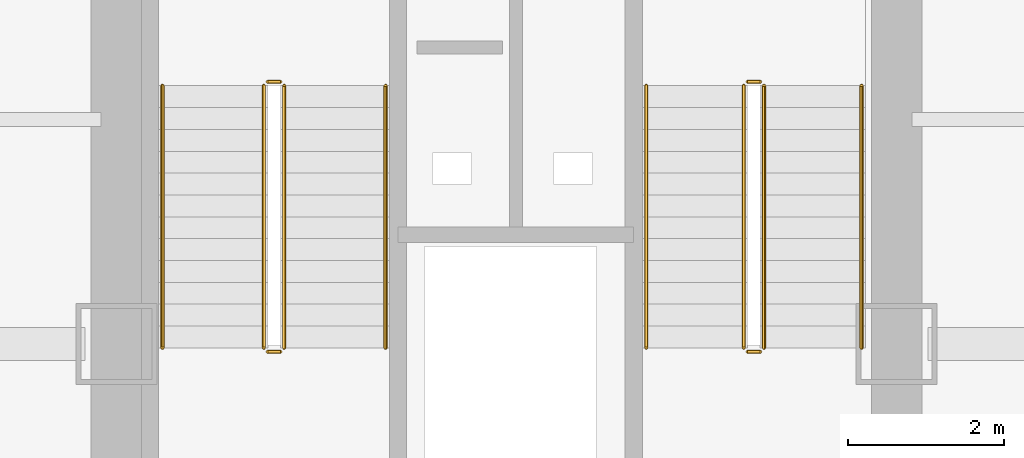
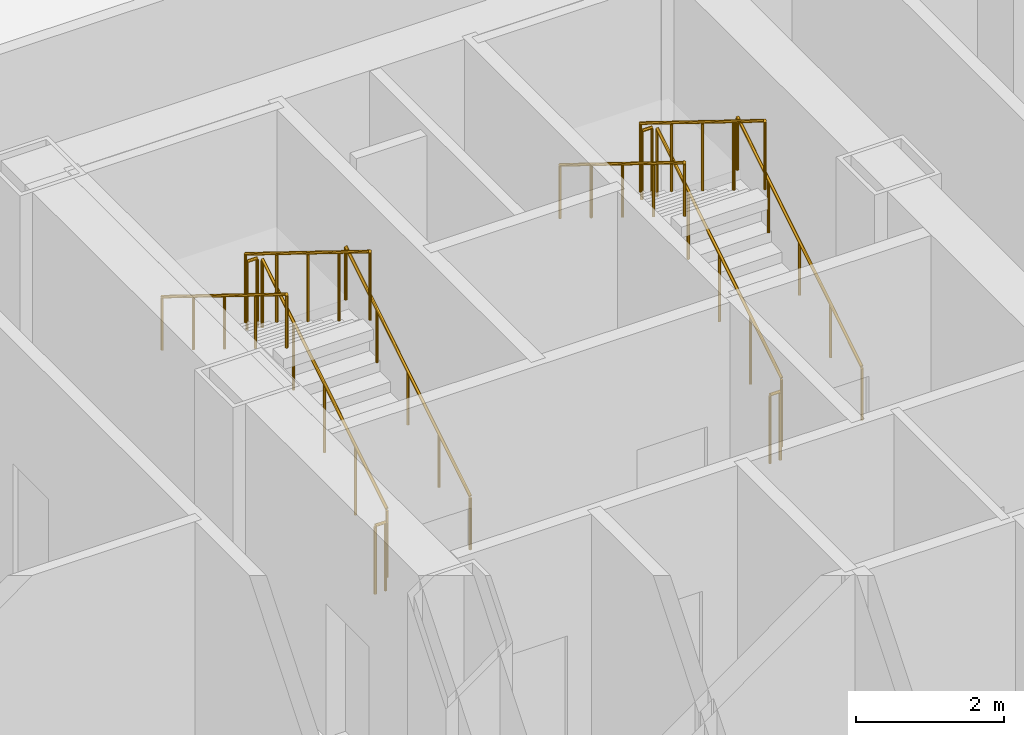
# One storey, part 25 of 26: 12 railings.
"""IFC4 building model written with IfcOpenShell, lengths in metres."""

from ifc_helpers import new_model, si_unit, direction, frame, origin, origin_2d, place, context, subcontext, project, spatial, circle, extrude, material, type_object, element, save


model = new_model("IFC4")

# Units and contexts
model_context = context("Model", 3, precision=1e-05, world=origin(), true_north=direction((0.0, 1.0)))
body_context = subcontext(model_context, "Body", "Model", "MODEL_VIEW")
ifc_project = project(units=[si_unit("LENGTHUNIT", "METRE"), si_unit("AREAUNIT", "SQUARE_METRE"), si_unit("VOLUMEUNIT", "CUBIC_METRE"), si_unit("PLANEANGLEUNIT", "RADIAN"), si_unit("MASSUNIT", "GRAM", prefix="KILO")], contexts=[model_context])

# Site, building, storey
site_placement = place(None, origin())
site = spatial("IfcSite", under=ifc_project, at=site_placement, CompositionType="ELEMENT")
building_placement = place(site_placement, origin())
building = spatial("IfcBuilding", under=site, at=building_placement, Name="Kolveth Station Tower", CompositionType="ELEMENT")
storey_placement = place(building_placement, frame((0.0, 0.0, 9.0)))
storey = spatial("IfcBuildingStorey", under=building, at=storey_placement, Name="L02", CompositionType="ELEMENT", Elevation=9.0)

# Railings
ifc_material_1 = material(Name="Painted Steel S355 balustrade", Category="steel")
railing_type_1 = type_object("IfcRailingType", Name="Guard_GR2", PredefinedType="BALUSTRADE", material=ifc_material_1)
railing_1_placement = place(storey_placement, frame((20.64990234375, 22.949951171875, 0.173095703125)))
element("IfcRailing", 1, at=railing_1_placement, inside=storey, type_object=railing_type_1, Name="L02 ST1 stair guard 1", PredefinedType="BALUSTRADE", context=body_context, shape_type="SweptSolid", body=[
    extrude(circle(Radius=0.02392578125, at=origin_2d()), frame((0.0, 0.0, 1.1259765625), z_axis=(0.0, 0.850623216509, 0.525775754039), x_axis=(-1.0, 0.0, 0.0)), (0.0, 0.0, 1.0), 3.9501953125),
    extrude(circle(Radius=0.02099609375, at=origin_2d()), origin(), (0.0, 0.0, 1.0), 1.101806640625),
    extrude(circle(Radius=0.02099609375, at=origin_2d()), frame((0.0, 0.840087890625, 0.519287109375)), (0.0, 0.0, 1.0), 1.101806640625),
    extrude(circle(Radius=0.02099609375, at=origin_2d()), frame((0.0, 1.68017578125, 1.03857421875)), (0.0, 0.0, 1.0), 1.101806640625),
    extrude(circle(Radius=0.02099609375, at=origin_2d()), frame((0.0, 2.52001953125, 1.5576171875)), (0.0, 0.0, 1.0), 1.101806640625),
    extrude(circle(Radius=0.02099609375, at=origin_2d()), frame((0.0, 3.360107421875, 2.076904296875)), (0.0, 0.0, 1.0), 1.101806640625),
])
railing_2_placement = place(storey_placement, frame((20.60009765625, 26.360107421875, 2.25)))
element("IfcRailing", 2, at=railing_2_placement, inside=storey, type_object=railing_type_1, Name="L02 ST1 stair guard 2", PredefinedType="BALUSTRADE", context=body_context, shape_type="SweptSolid", body=[
    extrude(circle(Radius=0.02392578125, at=origin_2d()), frame((0.0, 0.0, 1.1259765625), z_axis=(-1.0, 0.0, 0.0), x_axis=(0.0, -1.0, 0.0)), (0.0, 0.0, 1.0), 0.16015625),
    extrude(circle(Radius=0.02099609375, at=origin_2d()), origin(), (0.0, 0.0, 1.0), 1.101806640625),
    extrude(circle(Radius=0.02099609375, at=origin_2d()), frame((-0.16015625, 0.0, 0.0)), (0.0, 0.0, 1.0), 1.101806640625),
])
railing_3_placement = place(storey_placement, frame((20.389892578125, 26.31005859375, 2.423095703125)))
element("IfcRailing", 3, at=railing_3_placement, inside=storey, type_object=railing_type_1, Name="L02 ST1 stair guard 3", PredefinedType="BALUSTRADE", context=body_context, shape_type="SweptSolid", body=[
    extrude(circle(Radius=0.02392578125, at=origin_2d()), frame((0.0, 0.0, 1.1259765625), z_axis=(0.0, -0.850623216509, 0.525775754039), x_axis=(1.0, 0.0, 0.0)), (0.0, 0.0, 1.0), 3.9501953125),
    extrude(circle(Radius=0.02099609375, at=origin_2d()), origin(), (0.0, 0.0, 1.0), 1.101806640625),
    extrude(circle(Radius=0.02099609375, at=origin_2d()), frame((0.0, -0.840087890625, 0.519287109375)), (0.0, 0.0, 1.0), 1.101806640625),
    extrude(circle(Radius=0.02099609375, at=origin_2d()), frame((0.0, -1.68017578125, 1.03857421875)), (0.0, 0.0, 1.0), 1.101806640625),
    extrude(circle(Radius=0.02099609375, at=origin_2d()), frame((0.0, -2.52001953125, 1.5576171875)), (0.0, 0.0, 1.0), 1.101806640625),
    extrude(circle(Radius=0.02099609375, at=origin_2d()), frame((0.0, -3.360107421875, 2.076904296875)), (0.0, 0.0, 1.0), 1.101806640625),
])
railing_4_placement = place(storey_placement, frame((20.60009765625, 22.89990234375, 0.0)))
element("IfcRailing", 4, at=railing_4_placement, inside=storey, type_object=railing_type_1, Name="L02 ST1 stair guard 4", PredefinedType="BALUSTRADE", context=body_context, shape_type="SweptSolid", body=[
    extrude(circle(Radius=0.02392578125, at=origin_2d()), frame((0.0, 0.0, 1.1259765625), z_axis=(-1.0, 0.0, 0.0), x_axis=(0.0, -1.0, 0.0)), (0.0, 0.0, 1.0), 0.16015625),
    extrude(circle(Radius=0.02099609375, at=origin_2d()), origin(), (0.0, 0.0, 1.0), 1.101806640625),
    extrude(circle(Radius=0.02099609375, at=origin_2d()), frame((-0.16015625, 0.0, 0.0)), (0.0, 0.0, 1.0), 1.101806640625),
])
railing_5_placement = place(storey_placement, frame((26.800048828125, 22.949951171875, 0.173095703125)))
element("IfcRailing", 5, at=railing_5_placement, inside=storey, type_object=railing_type_1, Name="L02 ST2 stair guard 1", PredefinedType="BALUSTRADE", context=body_context, shape_type="SweptSolid", body=[
    extrude(circle(Radius=0.02392578125, at=origin_2d()), frame((0.0, 0.0, 1.1259765625), z_axis=(0.0, 0.850623216509, 0.525775754039), x_axis=(-1.0, 0.0, 0.0)), (0.0, 0.0, 1.0), 3.9501953125),
    extrude(circle(Radius=0.02099609375, at=origin_2d()), origin(), (0.0, 0.0, 1.0), 1.101806640625),
    extrude(circle(Radius=0.02099609375, at=origin_2d()), frame((0.0, 0.840087890625, 0.519287109375)), (0.0, 0.0, 1.0), 1.101806640625),
    extrude(circle(Radius=0.02099609375, at=origin_2d()), frame((0.0, 1.68017578125, 1.03857421875)), (0.0, 0.0, 1.0), 1.101806640625),
    extrude(circle(Radius=0.02099609375, at=origin_2d()), frame((0.0, 2.52001953125, 1.5576171875)), (0.0, 0.0, 1.0), 1.101806640625),
    extrude(circle(Radius=0.02099609375, at=origin_2d()), frame((0.0, 3.360107421875, 2.076904296875)), (0.0, 0.0, 1.0), 1.101806640625),
])
railing_6_placement = place(storey_placement, frame((26.75, 26.360107421875, 2.25)))
element("IfcRailing", 6, at=railing_6_placement, inside=storey, type_object=railing_type_1, Name="L02 ST2 stair guard 2", PredefinedType="BALUSTRADE", context=body_context, shape_type="SweptSolid", body=[
    extrude(circle(Radius=0.02392578125, at=origin_2d()), frame((0.0, 0.0, 1.1259765625), z_axis=(-1.0, 0.0, 0.0), x_axis=(0.0, -1.0, 0.0)), (0.0, 0.0, 1.0), 0.159912109375),
    extrude(circle(Radius=0.02099609375, at=origin_2d()), origin(), (0.0, 0.0, 1.0), 1.101806640625),
    extrude(circle(Radius=0.02099609375, at=origin_2d()), frame((-0.159912109375, 0.0, 0.0)), (0.0, 0.0, 1.0), 1.101806640625),
])
railing_7_placement = place(storey_placement, frame((26.5400390625, 26.31005859375, 2.423095703125)))
element("IfcRailing", 7, at=railing_7_placement, inside=storey, type_object=railing_type_1, Name="L02 ST2 stair guard 3", PredefinedType="BALUSTRADE", context=body_context, shape_type="SweptSolid", body=[
    extrude(circle(Radius=0.02392578125, at=origin_2d()), frame((0.0, 0.0, 1.1259765625), z_axis=(0.0, -0.850623216509, 0.525775754039), x_axis=(1.0, 0.0, 0.0)), (0.0, 0.0, 1.0), 3.9501953125),
    extrude(circle(Radius=0.02099609375, at=origin_2d()), origin(), (0.0, 0.0, 1.0), 1.101806640625),
    extrude(circle(Radius=0.02099609375, at=origin_2d()), frame((0.0, -0.840087890625, 0.519287109375)), (0.0, 0.0, 1.0), 1.101806640625),
    extrude(circle(Radius=0.02099609375, at=origin_2d()), frame((0.0, -1.68017578125, 1.03857421875)), (0.0, 0.0, 1.0), 1.101806640625),
    extrude(circle(Radius=0.02099609375, at=origin_2d()), frame((0.0, -2.52001953125, 1.5576171875)), (0.0, 0.0, 1.0), 1.101806640625),
    extrude(circle(Radius=0.02099609375, at=origin_2d()), frame((0.0, -3.360107421875, 2.076904296875)), (0.0, 0.0, 1.0), 1.101806640625),
])
railing_8_placement = place(storey_placement, frame((26.75, 22.89990234375, 0.0)))
element("IfcRailing", 8, at=railing_8_placement, inside=storey, type_object=railing_type_1, Name="L02 ST2 stair guard 4", PredefinedType="BALUSTRADE", context=body_context, shape_type="SweptSolid", body=[
    extrude(circle(Radius=0.02392578125, at=origin_2d()), frame((0.0, 0.0, 1.1259765625), z_axis=(-1.0, 0.0, 0.0), x_axis=(0.0, -1.0, 0.0)), (0.0, 0.0, 1.0), 0.159912109375),
    extrude(circle(Radius=0.02099609375, at=origin_2d()), origin(), (0.0, 0.0, 1.0), 1.101806640625),
    extrude(circle(Radius=0.02099609375, at=origin_2d()), frame((-0.159912109375, 0.0, 0.0)), (0.0, 0.0, 1.0), 1.101806640625),
])
ifc_material_2 = material(Name="Brushed stainless steel", Category="steel")
railing_type_2 = type_object("IfcRailingType", Name="Handrail_HR1", PredefinedType="HANDRAIL", material=ifc_material_2)
railing_9_placement = place(storey_placement, frame((21.949951171875, 22.949951171875, 0.173095703125)))
element("IfcRailing", 9, at=railing_9_placement, inside=storey, type_object=railing_type_2, Name="L02 ST1 stair handrail 1", PredefinedType="HANDRAIL", context=body_context, shape_type="SweptSolid", body=[
    extrude(circle(Radius=0.02392578125, at=origin_2d()), frame((0.0, 0.0, 0.8759765625), z_axis=(0.0, 0.850623216509, 0.525775754039), x_axis=(-1.0, 0.0, 0.0)), (0.0, 0.0, 1.0), 3.9501953125),
    extrude(circle(Radius=0.02099609375, at=origin_2d()), origin(), (0.0, 0.0, 1.0), 0.851806640625),
    extrude(circle(Radius=0.02099609375, at=origin_2d()), frame((0.0, 0.840087890625, 0.519287109375)), (0.0, 0.0, 1.0), 0.851806640625),
    extrude(circle(Radius=0.02099609375, at=origin_2d()), frame((0.0, 1.68017578125, 1.03857421875)), (0.0, 0.0, 1.0), 0.851806640625),
    extrude(circle(Radius=0.02099609375, at=origin_2d()), frame((0.0, 2.52001953125, 1.5576171875)), (0.0, 0.0, 1.0), 0.851806640625),
    extrude(circle(Radius=0.02099609375, at=origin_2d()), frame((0.0, 3.360107421875, 2.076904296875)), (0.0, 0.0, 1.0), 0.851806640625),
])
railing_10_placement = place(storey_placement, frame((19.090087890625, 26.31005859375, 2.423095703125)))
element("IfcRailing", 10, at=railing_10_placement, inside=storey, type_object=railing_type_2, Name="L02 ST1 stair handrail 2", PredefinedType="HANDRAIL", context=body_context, shape_type="SweptSolid", body=[
    extrude(circle(Radius=0.02392578125, at=origin_2d()), frame((0.0, 0.0, 0.8759765625), z_axis=(0.0, -0.850623216509, 0.525775754039), x_axis=(1.0, 0.0, 0.0)), (0.0, 0.0, 1.0), 3.9501953125),
    extrude(circle(Radius=0.02099609375, at=origin_2d()), origin(), (0.0, 0.0, 1.0), 0.851806640625),
    extrude(circle(Radius=0.02099609375, at=origin_2d()), frame((0.0, -0.840087890625, 0.519287109375)), (0.0, 0.0, 1.0), 0.851806640625),
    extrude(circle(Radius=0.02099609375, at=origin_2d()), frame((0.0, -1.68017578125, 1.03857421875)), (0.0, 0.0, 1.0), 0.851806640625),
    extrude(circle(Radius=0.02099609375, at=origin_2d()), frame((0.0, -2.52001953125, 1.5576171875)), (0.0, 0.0, 1.0), 0.851806640625),
    extrude(circle(Radius=0.02099609375, at=origin_2d()), frame((0.0, -3.360107421875, 2.076904296875)), (0.0, 0.0, 1.0), 0.851806640625),
])
railing_11_placement = place(storey_placement, frame((28.050048828125, 22.949951171875, 0.173095703125)))
element("IfcRailing", 11, at=railing_11_placement, inside=storey, type_object=railing_type_2, Name="L02 ST2 stair handrail 1", PredefinedType="HANDRAIL", context=body_context, shape_type="SweptSolid", body=[
    extrude(circle(Radius=0.02392578125, at=origin_2d()), frame((0.0, 0.0, 0.8759765625), z_axis=(0.0, 0.850623216509, 0.525775754039), x_axis=(-1.0, 0.0, 0.0)), (0.0, 0.0, 1.0), 3.9501953125),
    extrude(circle(Radius=0.02099609375, at=origin_2d()), origin(), (0.0, 0.0, 1.0), 0.851806640625),
    extrude(circle(Radius=0.02099609375, at=origin_2d()), frame((0.0, 0.840087890625, 0.519287109375)), (0.0, 0.0, 1.0), 0.851806640625),
    extrude(circle(Radius=0.02099609375, at=origin_2d()), frame((0.0, 1.68017578125, 1.03857421875)), (0.0, 0.0, 1.0), 0.851806640625),
    extrude(circle(Radius=0.02099609375, at=origin_2d()), frame((0.0, 2.52001953125, 1.5576171875)), (0.0, 0.0, 1.0), 0.851806640625),
    extrude(circle(Radius=0.02099609375, at=origin_2d()), frame((0.0, 3.360107421875, 2.076904296875)), (0.0, 0.0, 1.0), 0.851806640625),
])
railing_12_placement = place(storey_placement, frame((25.2900390625, 26.31005859375, 2.423095703125)))
element("IfcRailing", 12, at=railing_12_placement, inside=storey, type_object=railing_type_2, Name="L02 ST2 stair handrail 2", PredefinedType="HANDRAIL", context=body_context, shape_type="SweptSolid", body=[
    extrude(circle(Radius=0.02392578125, at=origin_2d()), frame((0.0, 0.0, 0.8759765625), z_axis=(0.0, -0.850623216509, 0.525775754039), x_axis=(1.0, 0.0, 0.0)), (0.0, 0.0, 1.0), 3.9501953125),
    extrude(circle(Radius=0.02099609375, at=origin_2d()), origin(), (0.0, 0.0, 1.0), 0.851806640625),
    extrude(circle(Radius=0.02099609375, at=origin_2d()), frame((0.0, -0.840087890625, 0.519287109375)), (0.0, 0.0, 1.0), 0.851806640625),
    extrude(circle(Radius=0.02099609375, at=origin_2d()), frame((0.0, -1.68017578125, 1.03857421875)), (0.0, 0.0, 1.0), 0.851806640625),
    extrude(circle(Radius=0.02099609375, at=origin_2d()), frame((0.0, -2.52001953125, 1.5576171875)), (0.0, 0.0, 1.0), 0.851806640625),
    extrude(circle(Radius=0.02099609375, at=origin_2d()), frame((0.0, -3.360107421875, 2.076904296875)), (0.0, 0.0, 1.0), 0.851806640625),
])

save(model, "model.ifc")
